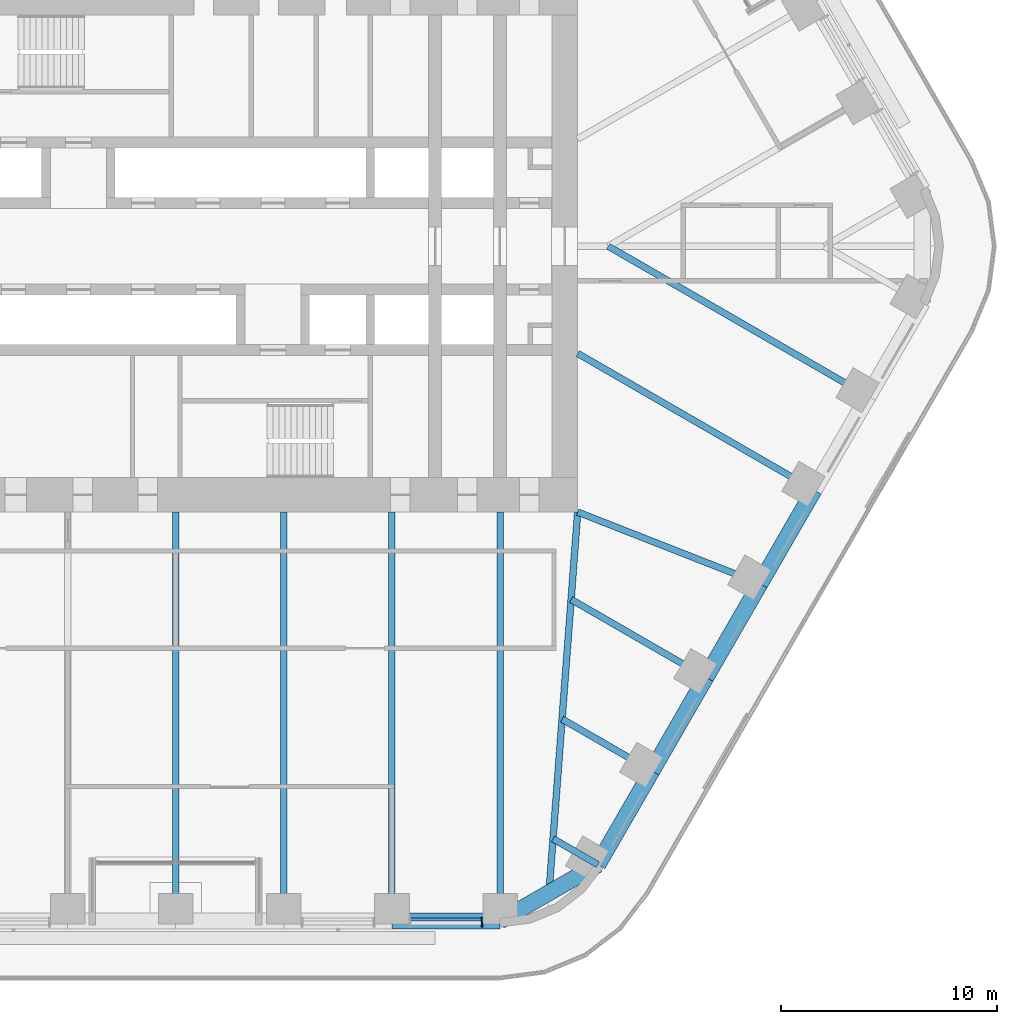
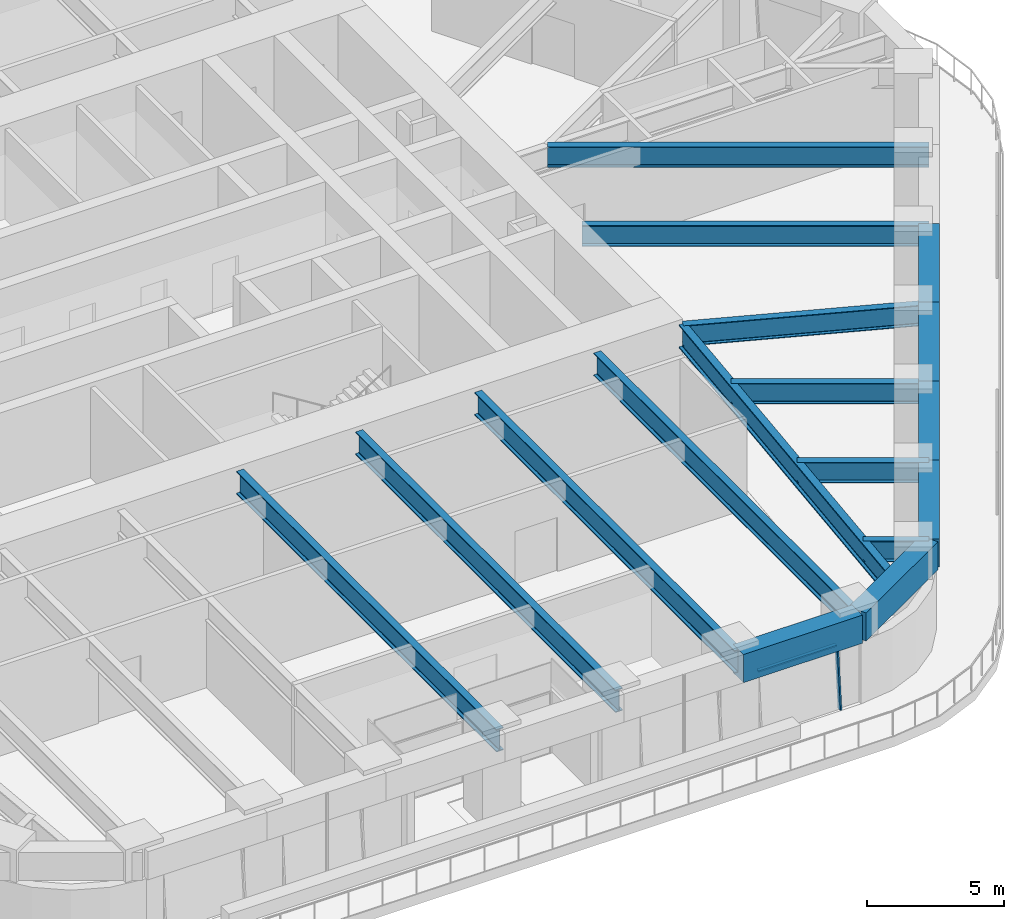
# One storey, part 5 of 24: 17 beams, 2 members, 1 element without a shape of its own.
"""IFC4 building model written with IfcOpenShell, lengths in metres."""

from ifc_helpers import new_model, si_unit, direction, frame, origin, origin_2d, place, context, subcontext, project, spatial, rectangle, i_section, extrude, material, material_profile, profile_set, type_object, element, aggregate, save


model = new_model("IFC4")

# Units and contexts
model_context = context("Model", 3, precision=1e-05, world=origin(), true_north=direction((0.0, 1.0)))
body_context = subcontext(model_context, "Body", "Model", "MODEL_VIEW")
ifc_project = project(units=[si_unit("LENGTHUNIT", "METRE"), si_unit("AREAUNIT", "SQUARE_METRE"), si_unit("VOLUMEUNIT", "CUBIC_METRE"), si_unit("PLANEANGLEUNIT", "RADIAN"), si_unit("MASSUNIT", "GRAM", prefix="KILO")], contexts=[model_context])

# Site, building, storey
site_placement = place(None, origin())
site = spatial("IfcSite", under=ifc_project, at=site_placement, CompositionType="ELEMENT")
building_placement = place(site_placement, origin())
building = spatial("IfcBuilding", under=site, at=building_placement, Name="Tarfa Lantern Tower", CompositionType="ELEMENT")
storey_placement = place(building_placement, frame((0.0, 0.0, 174.10009765625)))
storey = spatial("IfcBuildingStorey", under=building, at=storey_placement, Name="L39", CompositionType="ELEMENT", Elevation=174.10009765625)

# Curtain wall, members
ifc_material_1 = material(Name="Aluminium framed curtain wall", Category="aluminium")
curtain_wall_type = type_object("IfcCurtainWallType", Name="CW2 CANTED GLAZING MID ZONE 2750", PredefinedType="USERDEFINED", material=ifc_material_1)
curtain_wall_placement = place(storey_placement, origin())
curtain_wall = element("IfcCurtainWall", 1, at=curtain_wall_placement, inside=storey, type_object=curtain_wall_type, Name="CW2 SB L39", ObjectType="CURTAIN WALL", PredefinedType="USERDEFINED")
ifc_material_2 = material(Name="Aluminium mullion", Category="aluminium")
ifc_material_profile_1 = material_profile(ifc_material_2, rectangle(XDim=0.06494140625, YDim=0.199951171875, at=origin_2d()), Name="AL MULLION 65x200")
ifc_profile_set_1 = profile_set([ifc_material_profile_1], Name="Aluminium mullion")
member_type_1 = type_object("IfcMemberType", Name="CWM1 MULLION 65x200", PredefinedType="MULLION", material=ifc_profile_set_1)
member_1_placement = place(storey_placement, frame((14.1787109375, -31.39990234375, 0.0), z_axis=(0.0, 0.090535746043, 0.995893206468), x_axis=(-1.0, 0.0, 0.0)))
member_1 = element("IfcMember", 2, at=member_1_placement, type_object=member_type_1, Name="CW2 mullion 2", PredefinedType="MULLION", context=body_context, shape_type="SweptSolid", body=[
    extrude(rectangle(XDim=0.06494140625, YDim=0.199951171875, at=origin_2d()), origin(), (0.0, 0.0, 1.0), 2.76123046875),
])
ifc_material_3 = material(Name="Aluminium transom", Category="aluminium")
ifc_material_profile_2 = material_profile(ifc_material_3, rectangle(XDim=0.14990234375, YDim=0.06494140625, at=origin_2d()), Name="AL TRANSOM 150x65")
ifc_profile_set_2 = profile_set([ifc_material_profile_2], Name="Aluminium transom")
member_type_2 = type_object("IfcMemberType", Name="CWT1 TRANSOM 150x65", PredefinedType="USERDEFINED", material=ifc_profile_set_2)
member_2_placement = place(storey_placement, frame((10.872314453125, -31.153076171875, 2.71728515625), z_axis=(1.0, 0.0, 0.0), x_axis=(0.0, 1.0, 0.0)))
member_2 = element("IfcMember", 3, at=member_2_placement, type_object=member_type_2, Name="CW2 transom 1.2", ObjectType="TRANSOM", PredefinedType="USERDEFINED", context=body_context, shape_type="SweptSolid", body=[
    extrude(rectangle(XDim=0.14990234375, YDim=0.06494140625, at=origin_2d()), origin(), (0.0, 0.0, 1.0), 3.273681640625),
])
aggregate(curtain_wall, [member_1, member_2])

# Beams
ifc_material_4 = material(Name="Concrete C80/95", Category="concrete")
ifc_material_profile_3 = material_profile(ifc_material_4, rectangle(XDim=0.75, YDim=1.25, at=origin_2d()), Name="RC 750x1250")
ifc_profile_set_3 = profile_set([ifc_material_profile_3], Name="Concrete C80/95")
beam_type_1 = type_object("IfcBeamType", Name="EB2 RC 750x1250", PredefinedType="SPANDREL", material=ifc_profile_set_3)
beam_1_placement = place(storey_placement, frame((10.00732421875, -31.219970703125, 3.375), z_axis=(1.0, 0.0, 0.0), x_axis=(0.0, 1.0, 0.0)))
element("IfcBeam", 4, at=beam_1_placement, inside=storey, type_object=beam_type_1, Name="Edge beam S5", PredefinedType="SPANDREL", context=body_context, shape_type="SweptSolid", body=[
    extrude(rectangle(XDim=0.75, YDim=1.25, at=origin_2d()), origin(), (0.0, 0.0, 1.0), 5.003662109375),
])
beam_2_placement = place(storey_placement, frame((15.010986328125, -31.219970703125, 3.375), z_axis=(0.86604150238, 0.499972115377, 0.0), x_axis=(-0.499972115377, 0.86604150238, 0.0)))
element("IfcBeam", 5, at=beam_2_placement, inside=storey, type_object=beam_type_1, Name="Edge beam S6", PredefinedType="SPANDREL", context=body_context, shape_type="SweptSolid", body=[
    extrude(rectangle(XDim=0.75, YDim=1.25, at=origin_2d()), origin(), (0.0, 0.0, 1.0), 5.219970703125),
])
beam_3_placement = place(storey_placement, frame((19.53173828125, -28.610107421875, 3.375), z_axis=(0.500001197378, 0.866024712477, 0.0), x_axis=(-0.866024712477, 0.500001197378, 0.0)))
element("IfcBeam", 6, at=beam_3_placement, inside=storey, type_object=beam_type_1, Name="Edge beam SE0", PredefinedType="SPANDREL", context=body_context, shape_type="SweptSolid", body=[
    extrude(rectangle(XDim=0.75, YDim=1.25, at=origin_2d()), origin(), (0.0, 0.0, 1.0), 5.00390625),
])
for number, where, z_axis, x_axis, name in (
    (7, (22.03369140625, -24.276611328125, 3.375), (0.49998573051, 0.866033642122, 0.0), (-0.866033642122, 0.49998573051, 0.0), "Edge beam SE1"),
    (8, (24.535400390625, -19.943359375, 3.375), (0.500022324899, 0.866012514114, 0.0), (-0.866012514114, 0.500022324899, 0.0), "Edge beam SE2"),
    (9, (27.037353515625, -15.610107421875, 3.375), (0.499964603504, 0.866045838996, 0.0), (-0.866045838996, 0.499964603504, 0.0), "Edge beam SE3"),
):
    element("IfcBeam", number, at=place(storey_placement, frame(where, z_axis=z_axis, x_axis=x_axis)), inside=storey, type_object=beam_type_1, Name=name, PredefinedType="SPANDREL", context=body_context, shape_type="SweptSolid", body=[
        extrude(rectangle(XDim=0.75, YDim=1.25, at=origin_2d()), origin(), (0.0, 0.0, 1.0), 5.003662109375),
    ])
ifc_material_5 = material(Name="Steel S460M", Category="steel")
ifc_material_profile_4 = material_profile(ifc_material_5, i_section(OverallWidth=0.302001953125, OverallDepth=1.008056640625, WebThickness=0.02099609375, FlangeThickness=0.0400390625, FilletRadius=0.030029296875, at=origin_2d()), Name="UB1016x305x349")
ifc_profile_set_4 = profile_set([ifc_material_profile_4], Name="Steel S460M")
beam_type_2 = type_object("IfcBeamType", Name="UB1016x305x349", PredefinedType="BEAM", material=ifc_profile_set_4)
for number, where, z_axis, x_axis, name in (
    (10, (0.0, -31.219970703125, 3.495849609375), (0.0, 1.0, 0.0), (-1.0, 0.0, 0.0), "Floor beam S3"),
    (11, (5.003662109375, -31.219970703125, 3.495849609375), (0.0, 1.0, 0.0), (-1.0, 0.0, 0.0), "Floor beam S4"),
    (12, (10.00732421875, -31.219970703125, 3.495849609375), (0.0, 1.0, 0.0), (-1.0, 0.0, 0.0), "Floor beam S5"),
    (13, (15.010986328125, -31.219970703125, 3.495849609375), (0.0, 1.0, 0.0), (-1.0, 0.0, 0.0), "Floor beam S6"),
):
    element("IfcBeam", number, at=place(storey_placement, frame(where, z_axis=z_axis, x_axis=x_axis)), inside=storey, type_object=beam_type_2, Name=name, PredefinedType="BEAM", context=body_context, shape_type="SweptSolid", body=[
        extrude(i_section(OverallWidth=0.302001953125, OverallDepth=1.008056640625, WebThickness=0.02099609375, FlangeThickness=0.0400390625, FilletRadius=0.030029296875, at=origin_2d()), origin(), (0.0, 0.0, 1.0), 18.919921875),
    ])
ifc_material_profile_5 = material_profile(ifc_material_5, i_section(OverallWidth=0.30859375, OverallDepth=1.036376953125, WebThickness=0.030029296875, FlangeThickness=0.05419921875, FilletRadius=0.030029296875, at=origin_2d()), Name="UB1016x305x487")
ifc_profile_set_5 = profile_set([ifc_material_profile_5], Name="Steel S460M")
beam_type_3 = type_object("IfcBeamType", Name="UB1016x305x487", PredefinedType="BEAM", material=ifc_profile_set_5)
beam_4_placement = place(storey_placement, frame((18.60009765625, -12.300048828125, 3.481689453125), z_axis=(-0.075211516041, -0.99716760269, 0.0), x_axis=(0.99716760269, -0.075211516041, 0.0)))
element("IfcBeam", 14, at=beam_4_placement, inside=storey, type_object=beam_type_3, Name="Hip girder SE", PredefinedType="BEAM", context=body_context, shape_type="SweptSolid", body=[
    extrude(i_section(OverallWidth=0.30859375, OverallDepth=1.036376953125, WebThickness=0.030029296875, FlangeThickness=0.05419921875, FilletRadius=0.030029296875, at=origin_2d()), origin(), (0.0, 0.0, 1.0), 17.6650390625),
])
ifc_material_profile_6 = material_profile(ifc_material_5, i_section(OverallWidth=0.305419921875, OverallDepth=0.91845703125, WebThickness=0.017333984375, FlangeThickness=0.02783203125, FilletRadius=0.01904296875, at=origin_2d()), Name="UB914x305x253")
ifc_profile_set_6 = profile_set([ifc_material_profile_6], Name="Steel S460M")
beam_type_4 = type_object("IfcBeamType", Name="UB914x305x253", PredefinedType="BEAM", material=ifc_profile_set_6)
beam_5_placement = place(storey_placement, frame((19.53173828125, -28.610107421875, 3.540771484375), z_axis=(-0.865998640954, 0.500046351717, 0.0), x_axis=(-0.500046351717, -0.865998640954, 0.0)))
element("IfcBeam", 15, at=beam_5_placement, inside=storey, type_object=beam_type_4, Name="Floor beam SE0", PredefinedType="BEAM", context=body_context, shape_type="SweptSolid", body=[
    extrude(i_section(OverallWidth=0.305419921875, OverallDepth=0.91845703125, WebThickness=0.017333984375, FlangeThickness=0.02783203125, FilletRadius=0.01904296875, at=origin_2d()), origin(), (0.0, 0.0, 1.0), 2.392333984375),
])
beam_6_placement = place(storey_placement, frame((22.03369140625, -24.276611328125, 3.540771484375), z_axis=(-0.866030550462, 0.499991085587, 0.0), x_axis=(-0.499991085587, -0.866030550462, 0.0)))
element("IfcBeam", 16, at=beam_6_placement, inside=storey, type_object=beam_type_4, Name="Floor beam SE1", PredefinedType="BEAM", context=body_context, shape_type="SweptSolid", body=[
    extrude(i_section(OverallWidth=0.305419921875, OverallDepth=0.91845703125, WebThickness=0.017333984375, FlangeThickness=0.02783203125, FilletRadius=0.01904296875, at=origin_2d()), origin(), (0.0, 0.0, 1.0), 4.798828125),
])
beam_7_placement = place(storey_placement, frame((24.535400390625, -19.943359375, 3.540771484375), z_axis=(-0.86602647304, 0.499998147991, 0.0), x_axis=(-0.499998147991, -0.86602647304, 0.0)))
element("IfcBeam", 17, at=beam_7_placement, inside=storey, type_object=beam_type_4, Name="Floor beam SE2", PredefinedType="BEAM", context=body_context, shape_type="SweptSolid", body=[
    extrude(i_section(OverallWidth=0.305419921875, OverallDepth=0.91845703125, WebThickness=0.017333984375, FlangeThickness=0.02783203125, FilletRadius=0.01904296875, at=origin_2d()), origin(), (0.0, 0.0, 1.0), 7.20556640625),
])
beam_8_placement = place(storey_placement, frame((27.037353515625, -15.610107421875, 3.540771484375), z_axis=(-0.930923282782, 0.365214788274, 0.0), x_axis=(-0.365214788274, -0.930923282782, 0.0)))
element("IfcBeam", 18, at=beam_8_placement, inside=storey, type_object=beam_type_4, Name="Floor beam SE3", PredefinedType="BEAM", context=body_context, shape_type="SweptSolid", body=[
    extrude(i_section(OverallWidth=0.305419921875, OverallDepth=0.91845703125, WebThickness=0.017333984375, FlangeThickness=0.02783203125, FilletRadius=0.01904296875, at=origin_2d()), origin(), (0.0, 0.0, 1.0), 9.063232421875),
])
beam_9_placement = place(storey_placement, frame((29.5390625, -11.276611328125, 3.540771484375), z_axis=(-0.866023362995, 0.500003534735, 0.0), x_axis=(-0.500003534735, -0.866023362995, 0.0)))
element("IfcBeam", 19, at=beam_9_placement, inside=storey, type_object=beam_type_4, Name="Floor beam SE4", PredefinedType="BEAM", context=body_context, shape_type="SweptSolid", body=[
    extrude(i_section(OverallWidth=0.305419921875, OverallDepth=0.91845703125, WebThickness=0.017333984375, FlangeThickness=0.02783203125, FilletRadius=0.01904296875, at=origin_2d()), origin(), (0.0, 0.0, 1.0), 12.63134765625),
])
beam_10_placement = place(storey_placement, frame((32.041015625, -6.943359375, 3.540771484375), z_axis=(-0.866023096411, 0.500003996466, 0.0), x_axis=(-0.500003996466, -0.866023096411, 0.0)))
element("IfcBeam", 20, at=beam_10_placement, inside=storey, type_object=beam_type_4, Name="Floor beam SE5", PredefinedType="BEAM", context=body_context, shape_type="SweptSolid", body=[
    extrude(i_section(OverallWidth=0.305419921875, OverallDepth=0.91845703125, WebThickness=0.017333984375, FlangeThickness=0.02783203125, FilletRadius=0.01904296875, at=origin_2d()), origin(), (0.0, 0.0, 1.0), 13.88671875),
])

save(model, "model.ifc")
